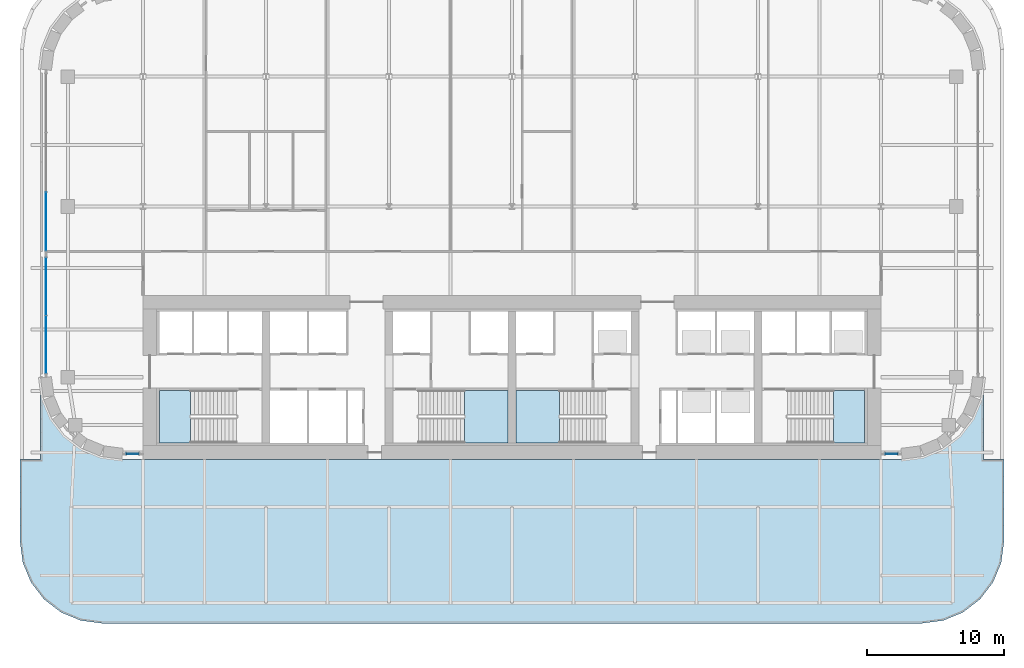
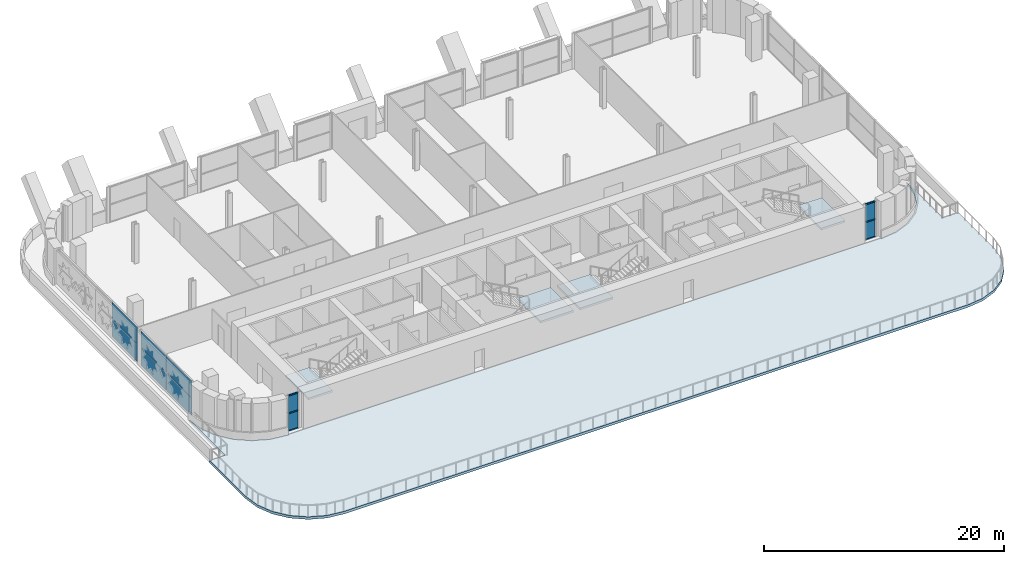
# One storey, part 13 of 26: 10 plates, 6 members, 5 slabs, 8 elements without a shape of their own.
"""IFC4 building model written with IfcOpenShell, lengths in metres."""

from ifc_helpers import new_model, si_unit, direction, frame, origin, origin_2d, place, context, subcontext, project, spatial, polyline, rectangle, outline, extrude, material, layer, layer_set, material_profile, profile_set, type_object, element, aggregate, save


model = new_model("IFC4")

# Units and contexts
model_context = context("Model", 3, precision=1e-05, world=origin(), true_north=direction((0.0, 1.0)))
body_context = subcontext(model_context, "Body", "Model", "MODEL_VIEW")
ifc_project = project(units=[si_unit("LENGTHUNIT", "METRE"), si_unit("AREAUNIT", "SQUARE_METRE"), si_unit("VOLUMEUNIT", "CUBIC_METRE"), si_unit("PLANEANGLEUNIT", "RADIAN"), si_unit("MASSUNIT", "GRAM", prefix="KILO")], contexts=[model_context])

# Site, building, storey
site_placement = place(None, origin())
site = spatial("IfcSite", under=ifc_project, at=site_placement, CompositionType="ELEMENT")
building_placement = place(site_placement, origin())
building = spatial("IfcBuilding", under=site, at=building_placement, Name="Zellij Exchange Tower", CompositionType="ELEMENT")
storey_placement = place(building_placement, frame((0.0, 0.0, 156.5)))
storey = spatial("IfcBuildingStorey", under=building, at=storey_placement, Name="L35", CompositionType="ELEMENT", Elevation=156.5)

# Curtain wall, members
ifc_material_1 = material(Name="Aluminium frame, clear insulating glass", Category="aluminium")
curtain_wall_type = type_object("IfcCurtainWallType", Name="ENV-CW6 Sky-lobby glazing", PredefinedType="NOTDEFINED", material=ifc_material_1)
curtain_wall_1_placement = place(storey_placement, origin())
curtain_wall_1 = element("IfcCurtainWall", 1, at=curtain_wall_1_placement, inside=storey, type_object=curtain_wall_type, Name="cw.L35.00a", PredefinedType="NOTDEFINED")
ifc_material_2 = material(Name="Aluminium", Category="aluminium")
ifc_material_profile = material_profile(ifc_material_2, rectangle(XDim=0.139892578125, YDim=0.06005859375, at=origin_2d()), Name="AL 140x60")
ifc_profile_set = profile_set([ifc_material_profile], Name="Aluminium")
member_type = type_object("IfcMemberType", Name="ENV-CW6T Transom 140x60", PredefinedType="USERDEFINED", material=ifc_profile_set)
member_1_placement = place(storey_placement, frame((-28.2138671875, -13.60009765625, 0.030029296875), z_axis=(1.0, 0.0, 0.0), x_axis=(0.0, 1.0, 0.0)))
member_1 = element("IfcMember", 2, at=member_1_placement, type_object=member_type, Name="CW6 transom 1.1", ObjectType="TRANSOM", PredefinedType="USERDEFINED", context=body_context, shape_type="SweptSolid", body=[
    extrude(rectangle(XDim=0.139892578125, YDim=0.06005859375, at=origin_2d()), origin(), (0.0, 0.0, 1.0), 0.90380859375),
])
member_2_placement = place(storey_placement, frame((-28.2138671875, -13.60009765625, 1.824951171875), z_axis=(1.0, 0.0, 0.0), x_axis=(0.0, 1.0, 0.0)))
member_2 = element("IfcMember", 3, at=member_2_placement, type_object=member_type, Name="CW6 transom 1.2", ObjectType="TRANSOM", PredefinedType="USERDEFINED", context=body_context, shape_type="SweptSolid", body=[
    extrude(rectangle(XDim=0.139892578125, YDim=0.06005859375, at=origin_2d()), origin(), (0.0, 0.0, 1.0), 0.90380859375),
])
member_3_placement = place(storey_placement, frame((-28.2138671875, -13.60009765625, 3.6201171875), z_axis=(1.0, 0.0, 0.0), x_axis=(0.0, 1.0, 0.0)))
member_3 = element("IfcMember", 4, at=member_3_placement, type_object=member_type, Name="CW6 transom 1.3", ObjectType="TRANSOM", PredefinedType="USERDEFINED", context=body_context, shape_type="SweptSolid", body=[
    extrude(rectangle(XDim=0.139892578125, YDim=0.06005859375, at=origin_2d()), origin(), (0.0, 0.0, 1.0), 0.90380859375),
])

curtain_wall_2_placement = place(storey_placement, origin())
curtain_wall_2 = element("IfcCurtainWall", 5, at=curtain_wall_2_placement, inside=storey, type_object=curtain_wall_type, Name="cw.L35.00b", PredefinedType="NOTDEFINED")
member_4_placement = place(storey_placement, frame((27.31005859375, -13.60009765625, 0.030029296875), z_axis=(1.0, 0.0, 0.0), x_axis=(0.0, 1.0, 0.0)))
member_4 = element("IfcMember", 6, at=member_4_placement, type_object=member_type, Name="CW6 transom 1.1", ObjectType="TRANSOM", PredefinedType="USERDEFINED", context=body_context, shape_type="SweptSolid", body=[
    extrude(rectangle(XDim=0.139892578125, YDim=0.06005859375, at=origin_2d()), origin(), (0.0, 0.0, 1.0), 0.90380859375),
])
member_5_placement = place(storey_placement, frame((27.31005859375, -13.60009765625, 1.824951171875), z_axis=(1.0, 0.0, 0.0), x_axis=(0.0, 1.0, 0.0)))
member_5 = element("IfcMember", 7, at=member_5_placement, type_object=member_type, Name="CW6 transom 1.2", ObjectType="TRANSOM", PredefinedType="USERDEFINED", context=body_context, shape_type="SweptSolid", body=[
    extrude(rectangle(XDim=0.139892578125, YDim=0.06005859375, at=origin_2d()), origin(), (0.0, 0.0, 1.0), 0.90380859375),
])
member_6_placement = place(storey_placement, frame((27.31005859375, -13.60009765625, 3.6201171875), z_axis=(1.0, 0.0, 0.0), x_axis=(0.0, 1.0, 0.0)))
member_6 = element("IfcMember", 8, at=member_6_placement, type_object=member_type, Name="CW6 transom 1.3", ObjectType="TRANSOM", PredefinedType="USERDEFINED", context=body_context, shape_type="SweptSolid", body=[
    extrude(rectangle(XDim=0.139892578125, YDim=0.06005859375, at=origin_2d()), origin(), (0.0, 0.0, 1.0), 0.90380859375),
])

# Stair, slab
ifc_material_3 = material(Name="Concrete C40/50", Category="concrete")
stair_type = type_object("IfcStairType", Name="CORE-ST exit stair 1850 wide", PredefinedType="HALF_TURN_STAIR", material=ifc_material_3)
stair_1_placement = place(storey_placement, origin())
stair_1 = element("IfcStair", 9, at=stair_1_placement, inside=storey, type_object=stair_type, Name="L35 exit stair ST1", PredefinedType="HALF_TURN_STAIR")
ifc_layer_1 = layer(ifc_material_3, 0.199951171875)
ifc_layer_set_1 = layer_set([ifc_layer_1], Name="Concrete C40/50")
slab_type_1 = type_object("IfcSlabType", Name="CORE-SL stair landing 200", PredefinedType="LANDING", material=ifc_layer_set_1)
slab_1_placement = place(storey_placement, frame((0.0, 0.0, 1.800048828125)))
slab_1 = element("IfcSlab", 10, at=slab_1_placement, type_object=slab_type_1, Name="ST1 landing 1", PredefinedType="LANDING", context=body_context, shape_type="SweptSolid", body=[
    extrude(outline(polyline([(-23.510009765625, -8.949951171875), (-25.800048828125, -8.949951171875), (-25.800048828125, -12.800048828125), (-23.510009765625, -12.800048828125), (-23.510009765625, -8.949951171875)])), origin(), (0.0, 0.0, 1.0), 0.199951171875),
])
aggregate(stair_1, [slab_1])

stair_2_placement = place(storey_placement, origin())
stair_2 = element("IfcStair", 11, at=stair_2_placement, inside=storey, type_object=stair_type, Name="L35 exit stair ST2", PredefinedType="HALF_TURN_STAIR")
slab_2_placement = place(storey_placement, frame((0.0, 0.0, 1.800048828125)))
slab_2 = element("IfcSlab", 12, at=slab_2_placement, type_object=slab_type_1, Name="ST2 landing 1", PredefinedType="LANDING", context=body_context, shape_type="SweptSolid", body=[
    extrude(outline(polyline([(-3.489990234375, -12.800048828125), (-0.300048828125, -12.800048828125), (-0.300048828125, -8.949951171875), (-3.489990234375, -8.949951171875), (-3.489990234375, -12.800048828125)])), origin(), (0.0, 0.0, 1.0), 0.199951171875),
])
aggregate(stair_2, [slab_2])

stair_3_placement = place(storey_placement, origin())
stair_3 = element("IfcStair", 13, at=stair_3_placement, inside=storey, type_object=stair_type, Name="L35 exit stair ST3", PredefinedType="HALF_TURN_STAIR")
slab_3_placement = place(storey_placement, frame((0.0, 0.0, 1.800048828125)))
slab_3 = element("IfcSlab", 14, at=slab_3_placement, type_object=slab_type_1, Name="ST3 landing 1", PredefinedType="LANDING", context=body_context, shape_type="SweptSolid", body=[
    extrude(outline(polyline([(3.489990234375, -8.949951171875), (0.300048828125, -8.949951171875), (0.300048828125, -12.800048828125), (3.489990234375, -12.800048828125), (3.489990234375, -8.949951171875)])), origin(), (0.0, 0.0, 1.0), 0.199951171875),
])
aggregate(stair_3, [slab_3])

stair_4_placement = place(storey_placement, origin())
stair_4 = element("IfcStair", 15, at=stair_4_placement, inside=storey, type_object=stair_type, Name="L35 exit stair ST4", PredefinedType="HALF_TURN_STAIR")
slab_4_placement = place(storey_placement, frame((0.0, 0.0, 1.800048828125)))
slab_4 = element("IfcSlab", 16, at=slab_4_placement, type_object=slab_type_1, Name="ST4 landing 1", PredefinedType="LANDING", context=body_context, shape_type="SweptSolid", body=[
    extrude(outline(polyline([(23.510009765625, -12.800048828125), (25.800048828125, -12.800048828125), (25.800048828125, -8.949951171875), (23.510009765625, -8.949951171875), (23.510009765625, -12.800048828125)])), origin(), (0.0, 0.0, 1.0), 0.199951171875),
])
aggregate(stair_4, [slab_4])

# Plate
ifc_material_4 = material(Name="Insulating glass unit, clear", Category="glass")
ifc_layer_2 = layer(ifc_material_4, 0.035888671875)
ifc_layer_set_2 = layer_set([ifc_layer_2], Name="Insulating glass unit, clear")
plate_type = type_object("IfcPlateType", Name="ENV-CW6P Glazed panel 36", PredefinedType="CURTAIN_PANEL", material=ifc_layer_set_2)
plate_1_placement = place(storey_placement, frame((-27.761962890625, -13.60009765625, 0.06005859375), z_axis=(0.0, 0.0, 1.0), x_axis=(1.0, 0.0, 0.0)))
plate_1 = element("IfcPlate", 17, at=plate_1_placement, type_object=plate_type, Name="CW6 panel 1.1", PredefinedType="CURTAIN_PANEL", context=body_context, shape_type="SweptSolid", body=[
    extrude(rectangle(XDim=0.90380859375, YDim=0.035888671875, at=origin_2d()), origin(), (0.0, 0.0, 1.0), 1.735107421875),
])

plate_2_placement = place(storey_placement, frame((-27.761962890625, -13.60009765625, 1.85498046875), z_axis=(0.0, 0.0, 1.0), x_axis=(1.0, 0.0, 0.0)))
plate_2 = element("IfcPlate", 18, at=plate_2_placement, type_object=plate_type, Name="CW6 panel 1.2", PredefinedType="CURTAIN_PANEL", context=body_context, shape_type="SweptSolid", body=[
    extrude(rectangle(XDim=0.90380859375, YDim=0.035888671875, at=origin_2d()), origin(), (0.0, 0.0, 1.0), 1.735107421875),
])

aggregate(curtain_wall_1, [member_1, member_2, member_3, plate_1, plate_2])

plate_3_placement = place(storey_placement, frame((27.761962890625, -13.60009765625, 0.06005859375), z_axis=(0.0, 0.0, 1.0), x_axis=(1.0, 0.0, 0.0)))
plate_3 = element("IfcPlate", 19, at=plate_3_placement, type_object=plate_type, Name="CW6 panel 1.1", PredefinedType="CURTAIN_PANEL", context=body_context, shape_type="SweptSolid", body=[
    extrude(rectangle(XDim=0.90380859375, YDim=0.035888671875, at=origin_2d()), origin(), (0.0, 0.0, 1.0), 1.735107421875),
])

plate_4_placement = place(storey_placement, frame((27.761962890625, -13.60009765625, 1.85498046875), z_axis=(0.0, 0.0, 1.0), x_axis=(1.0, 0.0, 0.0)))
plate_4 = element("IfcPlate", 20, at=plate_4_placement, type_object=plate_type, Name="CW6 panel 1.2", PredefinedType="CURTAIN_PANEL", context=body_context, shape_type="SweptSolid", body=[
    extrude(rectangle(XDim=0.90380859375, YDim=0.035888671875, at=origin_2d()), origin(), (0.0, 0.0, 1.0), 1.735107421875),
])

aggregate(curtain_wall_2, [member_4, member_5, member_6, plate_3, plate_4])

# Curtain wall, plates
curtain_wall_3_placement = place(storey_placement, origin())
curtain_wall_3 = element("IfcCurtainWall", 21, at=curtain_wall_3_placement, inside=storey, type_object=curtain_wall_type, Name="cw.L35.21a", PredefinedType="NOTDEFINED")
plate_5_placement = place(storey_placement, frame((-34.10009765625, 3.3984375, 0.06005859375), z_axis=(0.0, 0.0, 1.0), x_axis=(0.0, -1.0, 0.0)))
plate_5 = element("IfcPlate", 22, at=plate_5_placement, type_object=plate_type, Name="CW6 panel 3.1", PredefinedType="CURTAIN_PANEL", context=body_context, shape_type="SweptSolid", body=[
    extrude(rectangle(XDim=4.26611328125, YDim=0.035888671875, at=origin_2d()), origin(), (0.0, 0.0, 1.0), 1.735107421875),
])
plate_6_placement = place(storey_placement, frame((-34.10009765625, 3.3984375, 1.85498046875), z_axis=(0.0, 0.0, 1.0), x_axis=(0.0, -1.0, 0.0)))
plate_6 = element("IfcPlate", 23, at=plate_6_placement, type_object=plate_type, Name="CW6 panel 3.2", PredefinedType="CURTAIN_PANEL", context=body_context, shape_type="SweptSolid", body=[
    extrude(rectangle(XDim=4.26611328125, YDim=0.035888671875, at=origin_2d()), origin(), (0.0, 0.0, 1.0), 1.735107421875),
])
aggregate(curtain_wall_3, [plate_5, plate_6])

curtain_wall_4_placement = place(storey_placement, origin())
curtain_wall_4 = element("IfcCurtainWall", 24, at=curtain_wall_4_placement, inside=storey, type_object=curtain_wall_type, Name="cw.L35.21b", PredefinedType="NOTDEFINED")
plate_7_placement = place(storey_placement, frame((-34.10009765625, -1.3544921875, 0.06005859375), z_axis=(0.0, 0.0, 1.0), x_axis=(0.0, -1.0, 0.0)))
plate_7 = element("IfcPlate", 25, at=plate_7_placement, type_object=plate_type, Name="CW6 panel 1.1", PredefinedType="CURTAIN_PANEL", context=body_context, shape_type="SweptSolid", body=[
    extrude(rectangle(XDim=4.199462890625, YDim=0.035888671875, at=origin_2d()), origin(), (0.0, 0.0, 1.0), 1.735107421875),
])
plate_8_placement = place(storey_placement, frame((-34.10009765625, -1.3544921875, 1.85498046875), z_axis=(0.0, 0.0, 1.0), x_axis=(0.0, -1.0, 0.0)))
plate_8 = element("IfcPlate", 26, at=plate_8_placement, type_object=plate_type, Name="CW6 panel 1.2", PredefinedType="CURTAIN_PANEL", context=body_context, shape_type="SweptSolid", body=[
    extrude(rectangle(XDim=4.199462890625, YDim=0.035888671875, at=origin_2d()), origin(), (0.0, 0.0, 1.0), 1.735107421875),
])
plate_9_placement = place(storey_placement, frame((-34.10009765625, -5.614013671875, 0.06005859375), z_axis=(0.0, 0.0, 1.0), x_axis=(0.0, -1.0, 0.0)))
plate_9 = element("IfcPlate", 27, at=plate_9_placement, type_object=plate_type, Name="CW6 panel 2.1", PredefinedType="CURTAIN_PANEL", context=body_context, shape_type="SweptSolid", body=[
    extrude(rectangle(XDim=4.199462890625, YDim=0.035888671875, at=origin_2d()), origin(), (0.0, 0.0, 1.0), 1.735107421875),
])
plate_10_placement = place(storey_placement, frame((-34.10009765625, -5.614013671875, 1.85498046875), z_axis=(0.0, 0.0, 1.0), x_axis=(0.0, -1.0, 0.0)))
plate_10 = element("IfcPlate", 28, at=plate_10_placement, type_object=plate_type, Name="CW6 panel 2.2", PredefinedType="CURTAIN_PANEL", context=body_context, shape_type="SweptSolid", body=[
    extrude(rectangle(XDim=4.199462890625, YDim=0.035888671875, at=origin_2d()), origin(), (0.0, 0.0, 1.0), 1.735107421875),
])
aggregate(curtain_wall_4, [plate_7, plate_8, plate_9, plate_10])

# Slab
ifc_layer_3 = layer(ifc_material_3, 0.300048828125)
ifc_layer_set_3 = layer_set([ifc_layer_3], Name="Concrete C40/50")
slab_type_2 = type_object("IfcSlabType", Name="ENV-TERRACE SLAB 300 C40/50", PredefinedType="FLOOR", material=ifc_layer_set_3)
slab_5_placement = place(storey_placement, frame((0.0, 0.0, -0.300048828125)))
element("IfcSlab", 29, at=slab_5_placement, inside=storey, type_object=slab_type_2, Name="Terrace slab L35", PredefinedType="FLOOR", context=body_context, shape_type="SweptSolid", body=[
    extrude(outline(polyline([(-34.24267578125, -24.24267578125), (-33.0, -25.1962890625), (-31.552978515625, -25.795654296875), (-30.0, -26.0), (30.0, -26.0), (31.552978515625, -25.795654296875), (33.0, -25.1962890625), (34.24267578125, -24.24267578125), (35.1962890625, -23.0), (35.795654296875, -21.552978515625), (36.0, -20.0), (36.0, -14.0), (34.5, -14.0), (34.5, -8.0), (34.295654296875, -9.552978515625), (33.6962890625, -11.0), (32.74267578125, -12.24267578125), (31.5, -13.1962890625), (30.052978515625, -13.795654296875), (28.5, -14.0), (-28.5, -14.0), (-30.052978515625, -13.795654296875), (-31.5, -13.1962890625), (-32.74267578125, -12.24267578125), (-33.6962890625, -11.0), (-34.295654296875, -9.552978515625), (-34.5, -8.0), (-34.5, -14.0), (-36.0, -14.0), (-36.0, -20.0), (-35.795654296875, -21.552978515625), (-35.1962890625, -23.0), (-34.24267578125, -24.24267578125)])), origin(), (0.0, 0.0, 1.0), 0.260009765625),
])

save(model, "model.ifc")
